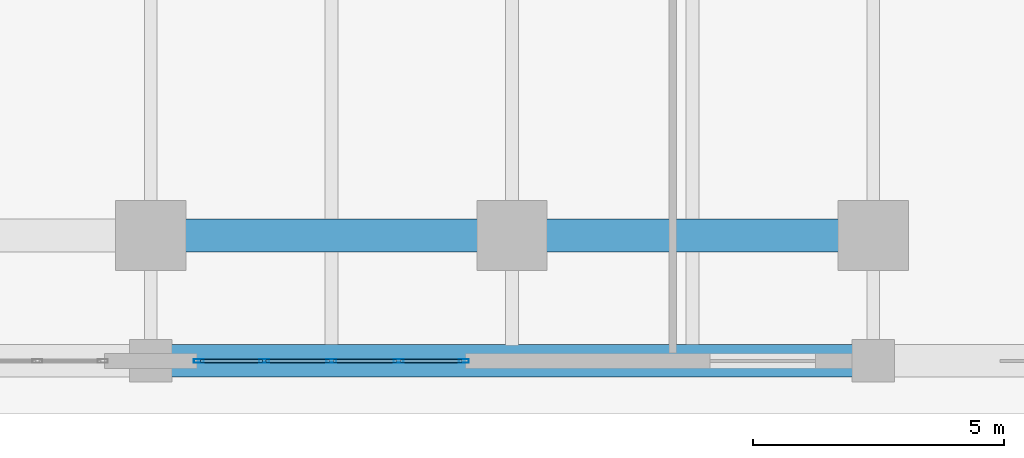
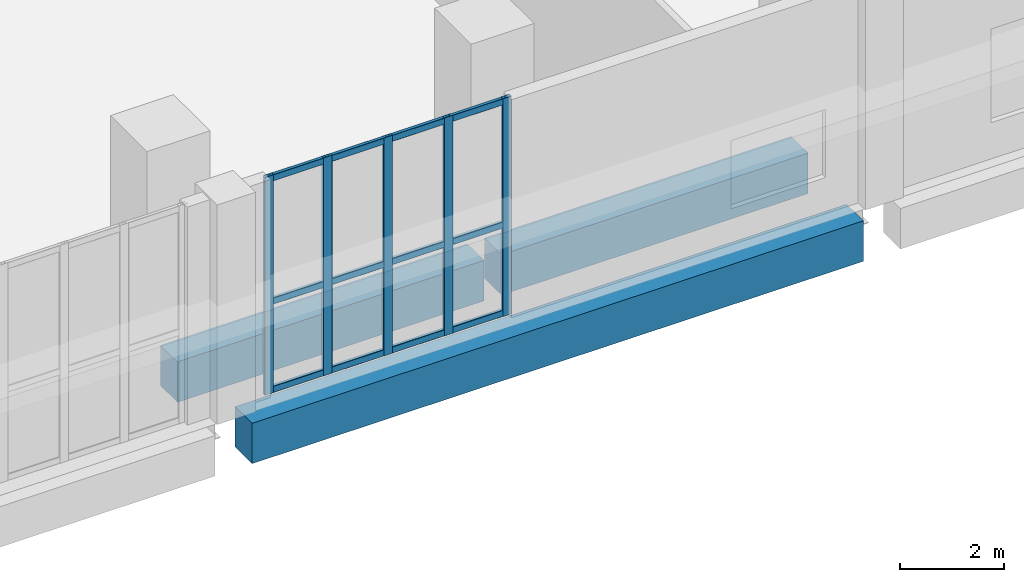
# One storey, part 13 of 25: 17 members, 3 beams, 1 element without a shape of its own.
"""IFC4 building model written with IfcOpenShell, lengths in metres."""

from ifc_helpers import new_model, si_unit, direction, frame, origin, origin_2d, place, context, subcontext, project, spatial, rectangle, hollow_rectangle, extrude, material, layer, layer_set, material_profile, profile_set, type_object, element, aggregate, save


model = new_model("IFC4")

# Units and contexts
model_context = context("Model", 3, precision=1e-05, world=origin(), true_north=direction((0.0, 1.0)))
body_context = subcontext(model_context, "Body", "Model", "MODEL_VIEW")
ifc_project = project(units=[si_unit("LENGTHUNIT", "METRE"), si_unit("AREAUNIT", "SQUARE_METRE"), si_unit("VOLUMEUNIT", "CUBIC_METRE"), si_unit("PLANEANGLEUNIT", "RADIAN"), si_unit("MASSUNIT", "GRAM", prefix="KILO")], contexts=[model_context])

# Site, building, storey
site_placement = place(None, origin())
site = spatial("IfcSite", under=ifc_project, at=site_placement, CompositionType="ELEMENT")
building_placement = place(site_placement, origin())
building = spatial("IfcBuilding", under=site, at=building_placement, Name="Kaelvorn Grand Hotel", CompositionType="ELEMENT")
storey_placement = place(building_placement, frame((0.0, 0.0, 26.0)))
storey = spatial("IfcBuildingStorey", under=building, at=storey_placement, Name="L04", CompositionType="ELEMENT", Elevation=26.0)

# Beams
ifc_material_1 = material(Name="Concrete C60/75", Category="concrete")
ifc_material_profile_1 = material_profile(ifc_material_1, rectangle(XDim=0.64990234375, YDim=0.949951171875, at=origin_2d()), Name="RC SPANDREL 650x950")
ifc_profile_set_1 = profile_set([ifc_material_profile_1], Name="Concrete C60/75")
beam_type = type_object("IfcBeamType", Name="BM-SP-650x950-C60", PredefinedType="SPANDREL", material=ifc_profile_set_1)
beam_1_placement = place(storey_placement, frame((61.010009765625, -2.5, -0.794921875), z_axis=(1.0, 0.0, 0.0), x_axis=(0.0, 1.0, 0.0)))
element("IfcBeam", 1, at=beam_1_placement, inside=storey, type_object=beam_type, Name="L04 South Perimeter Spandrel 06", PredefinedType="SPANDREL", context=body_context, shape_type="SweptSolid", body=[
    extrude(rectangle(XDim=0.64990234375, YDim=0.949951171875, at=origin_2d()), origin(), (0.0, 0.0, 1.0), 13.580078125),
])
beam_2_placement = place(storey_placement, frame((60.794921875, 0.0, -0.794921875), z_axis=(1.0, 0.0, 0.0), x_axis=(0.0, 1.0, 0.0)))
element("IfcBeam", 2, at=beam_2_placement, inside=storey, type_object=beam_type, Name="L04 Tower Line South Girder 08", PredefinedType="SPANDREL", context=body_context, shape_type="SweptSolid", body=[
    extrude(rectangle(XDim=0.64990234375, YDim=0.949951171875, at=origin_2d()), origin(), (0.0, 0.0, 1.0), 6.81005859375),
])
beam_3_placement = place(storey_placement, frame((67.9951171875, 0.0, -0.794921875), z_axis=(1.0, 0.0, 0.0), x_axis=(0.0, 1.0, 0.0)))
element("IfcBeam", 3, at=beam_3_placement, inside=storey, type_object=beam_type, Name="L04 Tower Line South Girder 09", PredefinedType="SPANDREL", context=body_context, shape_type="SweptSolid", body=[
    extrude(rectangle(XDim=0.64990234375, YDim=0.949951171875, at=origin_2d()), origin(), (0.0, 0.0, 1.0), 6.809814453125),
])

# Curtain wall, members
ifc_material_2 = material(Name="Anodised Aluminium", Category="aluminium")
ifc_layer = layer(ifc_material_2, 0.199951171875)
ifc_layer_set = layer_set([ifc_layer], Name="Anodised Aluminium")
curtain_wall_type = type_object("IfcCurtainWallType", Name="CW-SYS2", PredefinedType="NOTDEFINED", material=ifc_layer_set)
curtain_wall_placement = place(storey_placement, origin())
curtain_wall = element("IfcCurtainWall", 4, at=curtain_wall_placement, inside=storey, type_object=curtain_wall_type, Name="L04 Unitised Curtain Wall CW2 (CW-L04-S-07)", PredefinedType="NOTDEFINED")
ifc_material_profile_2 = material_profile(ifc_material_2, hollow_rectangle(XDim=0.074951171875, YDim=0.199951171875, WallThickness=0.00390625, InnerFilletRadius=0.00390625, OuterFilletRadius=0.008056640625, at=origin_2d()), Name="ALU MULL 75x200")
ifc_profile_set_2 = profile_set([ifc_material_profile_2], Name="Anodised Aluminium")
member_type_1 = type_object("IfcMemberType", Name="CW-SYS2-MULL", PredefinedType="MULLION", material=ifc_profile_set_2)
member_1_placement = place(storey_placement, frame((61.5576171875, -2.5, 0.0), z_axis=(0.0, 0.0, 1.0), x_axis=(0.0, 1.0, 0.0)))
member_1 = element("IfcMember", 5, at=member_1_placement, type_object=member_type_1, Name="CW2 mullion 1", PredefinedType="MULLION", context=body_context, shape_type="SweptSolid", body=[
    extrude(hollow_rectangle(XDim=0.074951171875, YDim=0.199951171875, WallThickness=0.00390625, InnerFilletRadius=0.00390625, OuterFilletRadius=0.008056640625, at=origin_2d()), origin(), (0.0, 0.0, 1.0), 5.1201171875),
])
member_2_placement = place(storey_placement, frame((62.860107421875, -2.5, 0.0), z_axis=(0.0, 0.0, 1.0), x_axis=(0.0, 1.0, 0.0)))
member_2 = element("IfcMember", 6, at=member_2_placement, type_object=member_type_1, Name="CW2 mullion 2", PredefinedType="MULLION", context=body_context, shape_type="SweptSolid", body=[
    extrude(hollow_rectangle(XDim=0.074951171875, YDim=0.199951171875, WallThickness=0.00390625, InnerFilletRadius=0.00390625, OuterFilletRadius=0.008056640625, at=origin_2d()), origin(), (0.0, 0.0, 1.0), 5.1201171875),
])
member_3_placement = place(storey_placement, frame((64.199951171875, -2.5, 0.0), z_axis=(0.0, 0.0, 1.0), x_axis=(0.0, 1.0, 0.0)))
member_3 = element("IfcMember", 7, at=member_3_placement, type_object=member_type_1, Name="CW2 mullion 3", PredefinedType="MULLION", context=body_context, shape_type="SweptSolid", body=[
    extrude(hollow_rectangle(XDim=0.074951171875, YDim=0.199951171875, WallThickness=0.00390625, InnerFilletRadius=0.00390625, OuterFilletRadius=0.008056640625, at=origin_2d()), origin(), (0.0, 0.0, 1.0), 5.1201171875),
])
member_4_placement = place(storey_placement, frame((65.5400390625, -2.5, 0.0), z_axis=(0.0, 0.0, 1.0), x_axis=(0.0, 1.0, 0.0)))
member_4 = element("IfcMember", 8, at=member_4_placement, type_object=member_type_1, Name="CW2 mullion 4", PredefinedType="MULLION", context=body_context, shape_type="SweptSolid", body=[
    extrude(hollow_rectangle(XDim=0.074951171875, YDim=0.199951171875, WallThickness=0.00390625, InnerFilletRadius=0.00390625, OuterFilletRadius=0.008056640625, at=origin_2d()), origin(), (0.0, 0.0, 1.0), 5.1201171875),
])
member_5_placement = place(storey_placement, frame((66.842529296875, -2.5, 0.0), z_axis=(0.0, 0.0, 1.0), x_axis=(0.0, 1.0, 0.0)))
member_5 = element("IfcMember", 9, at=member_5_placement, type_object=member_type_1, Name="CW2 mullion 5", PredefinedType="MULLION", context=body_context, shape_type="SweptSolid", body=[
    extrude(hollow_rectangle(XDim=0.074951171875, YDim=0.199951171875, WallThickness=0.00390625, InnerFilletRadius=0.00390625, OuterFilletRadius=0.008056640625, at=origin_2d()), origin(), (0.0, 0.0, 1.0), 5.1201171875),
])
ifc_material_profile_3 = material_profile(ifc_material_2, hollow_rectangle(XDim=0.074951171875, YDim=0.14990234375, WallThickness=0.00390625, InnerFilletRadius=0.00390625, OuterFilletRadius=0.008056640625, at=origin_2d()), Name="ALU TRAN 75x150")
ifc_profile_set_3 = profile_set([ifc_material_profile_3], Name="Anodised Aluminium")
member_type_2 = type_object("IfcMemberType", Name="CW-SYS2-TRAN", PredefinedType="NOTDEFINED", material=ifc_profile_set_3)
member_6_placement = place(storey_placement, frame((61.594970703125, -2.5, 0.074951171875), z_axis=(1.0, 0.0, 0.0), x_axis=(0.0, 1.0, 0.0)))
member_6 = element("IfcMember", 10, at=member_6_placement, type_object=member_type_2, Name="CW2 transom 1.1", ObjectType="TRANSOM", PredefinedType="USERDEFINED", context=body_context, shape_type="SweptSolid", body=[
    extrude(hollow_rectangle(XDim=0.074951171875, YDim=0.14990234375, WallThickness=0.00390625, InnerFilletRadius=0.00390625, OuterFilletRadius=0.008056640625, at=origin_2d()), origin(), (0.0, 0.0, 1.0), 1.2275390625),
])
member_7_placement = place(storey_placement, frame((61.594970703125, -2.5, 2.150390625), z_axis=(1.0, 0.0, 0.0), x_axis=(0.0, 1.0, 0.0)))
member_7 = element("IfcMember", 11, at=member_7_placement, type_object=member_type_2, Name="CW2 transom 1.2", ObjectType="TRANSOM", PredefinedType="USERDEFINED", context=body_context, shape_type="SweptSolid", body=[
    extrude(hollow_rectangle(XDim=0.074951171875, YDim=0.14990234375, WallThickness=0.00390625, InnerFilletRadius=0.00390625, OuterFilletRadius=0.008056640625, at=origin_2d()), origin(), (0.0, 0.0, 1.0), 1.2275390625),
])
member_8_placement = place(storey_placement, frame((61.594970703125, -2.5, 5.044921875), z_axis=(1.0, 0.0, 0.0), x_axis=(0.0, 1.0, 0.0)))
member_8 = element("IfcMember", 12, at=member_8_placement, type_object=member_type_2, Name="CW2 transom 1.3", ObjectType="TRANSOM", PredefinedType="USERDEFINED", context=body_context, shape_type="SweptSolid", body=[
    extrude(hollow_rectangle(XDim=0.074951171875, YDim=0.14990234375, WallThickness=0.00390625, InnerFilletRadius=0.00390625, OuterFilletRadius=0.008056640625, at=origin_2d()), origin(), (0.0, 0.0, 1.0), 1.2275390625),
])
member_9_placement = place(storey_placement, frame((62.8974609375, -2.5, 0.074951171875), z_axis=(1.0, 0.0, 0.0), x_axis=(0.0, 1.0, 0.0)))
member_9 = element("IfcMember", 13, at=member_9_placement, type_object=member_type_2, Name="CW2 transom 2.1", ObjectType="TRANSOM", PredefinedType="USERDEFINED", context=body_context, shape_type="SweptSolid", body=[
    extrude(hollow_rectangle(XDim=0.074951171875, YDim=0.14990234375, WallThickness=0.00390625, InnerFilletRadius=0.00390625, OuterFilletRadius=0.008056640625, at=origin_2d()), origin(), (0.0, 0.0, 1.0), 1.26513671875),
])
member_10_placement = place(storey_placement, frame((62.8974609375, -2.5, 2.150390625), z_axis=(1.0, 0.0, 0.0), x_axis=(0.0, 1.0, 0.0)))
member_10 = element("IfcMember", 14, at=member_10_placement, type_object=member_type_2, Name="CW2 transom 2.2", ObjectType="TRANSOM", PredefinedType="USERDEFINED", context=body_context, shape_type="SweptSolid", body=[
    extrude(hollow_rectangle(XDim=0.074951171875, YDim=0.14990234375, WallThickness=0.00390625, InnerFilletRadius=0.00390625, OuterFilletRadius=0.008056640625, at=origin_2d()), origin(), (0.0, 0.0, 1.0), 1.26513671875),
])
member_11_placement = place(storey_placement, frame((62.8974609375, -2.5, 5.044921875), z_axis=(1.0, 0.0, 0.0), x_axis=(0.0, 1.0, 0.0)))
member_11 = element("IfcMember", 15, at=member_11_placement, type_object=member_type_2, Name="CW2 transom 2.3", ObjectType="TRANSOM", PredefinedType="USERDEFINED", context=body_context, shape_type="SweptSolid", body=[
    extrude(hollow_rectangle(XDim=0.074951171875, YDim=0.14990234375, WallThickness=0.00390625, InnerFilletRadius=0.00390625, OuterFilletRadius=0.008056640625, at=origin_2d()), origin(), (0.0, 0.0, 1.0), 1.26513671875),
])
member_12_placement = place(storey_placement, frame((64.237548828125, -2.5, 0.074951171875), z_axis=(1.0, 0.0, 0.0), x_axis=(0.0, 1.0, 0.0)))
member_12 = element("IfcMember", 16, at=member_12_placement, type_object=member_type_2, Name="CW2 transom 3.1", ObjectType="TRANSOM", PredefinedType="USERDEFINED", context=body_context, shape_type="SweptSolid", body=[
    extrude(hollow_rectangle(XDim=0.074951171875, YDim=0.14990234375, WallThickness=0.00390625, InnerFilletRadius=0.00390625, OuterFilletRadius=0.008056640625, at=origin_2d()), origin(), (0.0, 0.0, 1.0), 1.264892578125),
])
member_13_placement = place(storey_placement, frame((64.237548828125, -2.5, 2.150390625), z_axis=(1.0, 0.0, 0.0), x_axis=(0.0, 1.0, 0.0)))
member_13 = element("IfcMember", 17, at=member_13_placement, type_object=member_type_2, Name="CW2 transom 3.2", ObjectType="TRANSOM", PredefinedType="USERDEFINED", context=body_context, shape_type="SweptSolid", body=[
    extrude(hollow_rectangle(XDim=0.074951171875, YDim=0.14990234375, WallThickness=0.00390625, InnerFilletRadius=0.00390625, OuterFilletRadius=0.008056640625, at=origin_2d()), origin(), (0.0, 0.0, 1.0), 1.264892578125),
])
member_14_placement = place(storey_placement, frame((64.237548828125, -2.5, 5.044921875), z_axis=(1.0, 0.0, 0.0), x_axis=(0.0, 1.0, 0.0)))
member_14 = element("IfcMember", 18, at=member_14_placement, type_object=member_type_2, Name="CW2 transom 3.3", ObjectType="TRANSOM", PredefinedType="USERDEFINED", context=body_context, shape_type="SweptSolid", body=[
    extrude(hollow_rectangle(XDim=0.074951171875, YDim=0.14990234375, WallThickness=0.00390625, InnerFilletRadius=0.00390625, OuterFilletRadius=0.008056640625, at=origin_2d()), origin(), (0.0, 0.0, 1.0), 1.264892578125),
])
member_15_placement = place(storey_placement, frame((65.577392578125, -2.5, 0.074951171875), z_axis=(1.0, 0.0, 0.0), x_axis=(0.0, 1.0, 0.0)))
member_15 = element("IfcMember", 19, at=member_15_placement, type_object=member_type_2, Name="CW2 transom 4.1", ObjectType="TRANSOM", PredefinedType="USERDEFINED", context=body_context, shape_type="SweptSolid", body=[
    extrude(hollow_rectangle(XDim=0.074951171875, YDim=0.14990234375, WallThickness=0.00390625, InnerFilletRadius=0.00390625, OuterFilletRadius=0.008056640625, at=origin_2d()), origin(), (0.0, 0.0, 1.0), 1.2275390625),
])
member_16_placement = place(storey_placement, frame((65.577392578125, -2.5, 2.150390625), z_axis=(1.0, 0.0, 0.0), x_axis=(0.0, 1.0, 0.0)))
member_16 = element("IfcMember", 20, at=member_16_placement, type_object=member_type_2, Name="CW2 transom 4.2", ObjectType="TRANSOM", PredefinedType="USERDEFINED", context=body_context, shape_type="SweptSolid", body=[
    extrude(hollow_rectangle(XDim=0.074951171875, YDim=0.14990234375, WallThickness=0.00390625, InnerFilletRadius=0.00390625, OuterFilletRadius=0.008056640625, at=origin_2d()), origin(), (0.0, 0.0, 1.0), 1.2275390625),
])
member_17_placement = place(storey_placement, frame((65.577392578125, -2.5, 5.044921875), z_axis=(1.0, 0.0, 0.0), x_axis=(0.0, 1.0, 0.0)))
member_17 = element("IfcMember", 21, at=member_17_placement, type_object=member_type_2, Name="CW2 transom 4.3", ObjectType="TRANSOM", PredefinedType="USERDEFINED", context=body_context, shape_type="SweptSolid", body=[
    extrude(hollow_rectangle(XDim=0.074951171875, YDim=0.14990234375, WallThickness=0.00390625, InnerFilletRadius=0.00390625, OuterFilletRadius=0.008056640625, at=origin_2d()), origin(), (0.0, 0.0, 1.0), 1.2275390625),
])
aggregate(curtain_wall, [member_1, member_2, member_3, member_4, member_5, member_6, member_7, member_8, member_9, member_10, member_11, member_12, member_13, member_14, member_15, member_16, member_17])

save(model, "model.ifc")
